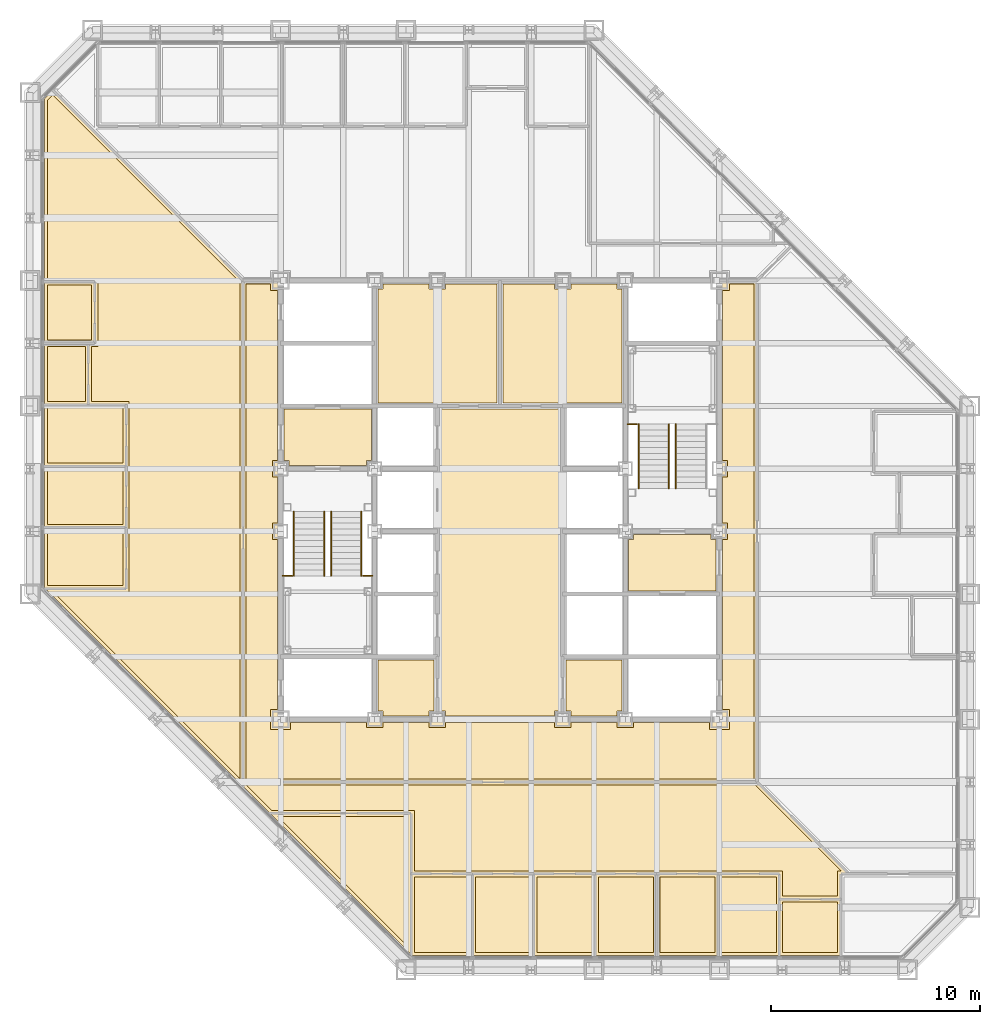
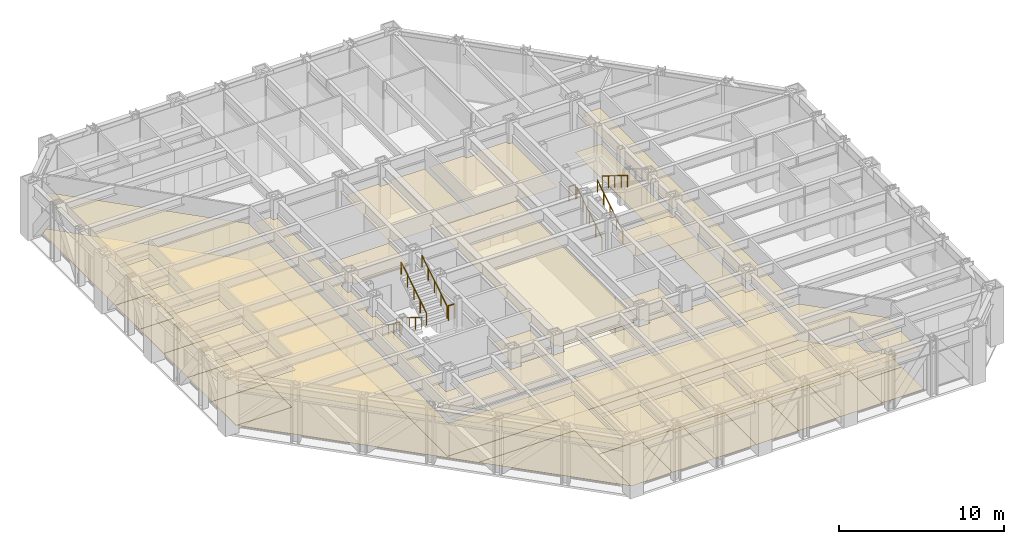
# One storey, part 15 of 17: 38 coverings, 10 railings.
"""IFC4 building model written with IfcOpenShell, lengths in metres."""

from ifc_helpers import new_model, si_unit, direction, frame, origin, origin_2d, place, context, subcontext, project, spatial, polyline, circle, outline, extrude, material, layer, layer_set, type_object, element, save


model = new_model("IFC4")

# Units and contexts
model_context = context("Model", 3, precision=1e-05, world=origin(), true_north=direction((0.0, 1.0)))
body_context = subcontext(model_context, "Body", "Model", "MODEL_VIEW")
ifc_project = project(units=[si_unit("LENGTHUNIT", "METRE"), si_unit("AREAUNIT", "SQUARE_METRE"), si_unit("VOLUMEUNIT", "CUBIC_METRE"), si_unit("PLANEANGLEUNIT", "RADIAN"), si_unit("MASSUNIT", "GRAM", prefix="KILO")], contexts=[model_context])

# Site, building, storey
site_placement = place(None, origin())
site = spatial("IfcSite", under=ifc_project, at=site_placement, CompositionType="ELEMENT")
building_placement = place(site_placement, origin())
building = spatial("IfcBuilding", under=site, at=building_placement, Name="Chuquiago Exchange Tower", CompositionType="ELEMENT")
storey_placement = place(building_placement, frame((0.0, 0.0, 136.199951171875)))
storey = spatial("IfcBuildingStorey", under=building, at=storey_placement, Name="L29", CompositionType="ELEMENT", Elevation=136.199951171875)

# Coverings
ifc_material_1 = material(Name="Mineral fibre tile, 600 x 600, on pale metal grid", Category="mineral fibre")
ifc_layer_1 = layer(ifc_material_1, 0.02001953125)
ifc_layer_set_1 = layer_set([ifc_layer_1], Name="CL1 suspended tile ceiling 20")
covering_type_1 = type_object("IfcCoveringType", Name="CL1 suspended tile ceiling 20", PredefinedType="CEILING", material=ifc_layer_set_1)
covering_1_placement = place(storey_placement, frame((0.0, 0.0, 2.800048828125)))
element("IfcCovering", 1, at=covering_1_placement, inside=storey, type_object=covering_type_1, Name="Ceiling Broker lounge", PredefinedType="CEILING", context=body_context, shape_type="SweptSolid", body=[
    extrude(outline(polyline([(18.098388671875, 7.35009765625), (18.098388671875, 1.103515625), (11.85205078125, 7.35009765625), (18.098388671875, 7.35009765625)])), origin(), (0.0, 0.0, 1.0), 0.02001953125),
])
covering_2_placement = place(storey_placement, frame((0.0, 0.0, 2.800048828125)))
element("IfcCovering", 2, at=covering_2_placement, inside=storey, type_object=covering_type_1, Name="Ceiling Office", PredefinedType="CEILING", context=body_context, shape_type="SweptSolid", body=[
    extrude(outline(polyline([(18.3984375, 4.449951171875), (21.036376953125, 4.449951171875), (21.036376953125, 0.85009765625), (18.3984375, 0.85009765625), (18.3984375, 4.449951171875)])), origin(), (0.0, 0.0, 1.0), 0.02001953125),
])
covering_3_placement = place(storey_placement, frame((0.0, 0.0, 2.800048828125)))
element("IfcCovering", 3, at=covering_3_placement, inside=storey, type_object=covering_type_1, Name="Ceiling Office", PredefinedType="CEILING", context=body_context, shape_type="SweptSolid", body=[
    extrude(outline(polyline([(21.33642578125, 4.449951171875), (23.974365234375, 4.449951171875), (23.974365234375, 0.85009765625), (21.33642578125, 0.85009765625), (21.33642578125, 4.449951171875)])), origin(), (0.0, 0.0, 1.0), 0.02001953125),
])
covering_4_placement = place(storey_placement, frame((0.0, 0.0, 2.800048828125)))
element("IfcCovering", 4, at=covering_4_placement, inside=storey, type_object=covering_type_1, Name="Ceiling Office", PredefinedType="CEILING", context=body_context, shape_type="SweptSolid", body=[
    extrude(outline(polyline([(24.2744140625, 4.449951171875), (26.912109375, 4.449951171875), (26.912109375, 0.85009765625), (24.2744140625, 0.85009765625), (24.2744140625, 4.449951171875)])), origin(), (0.0, 0.0, 1.0), 0.02001953125),
])
covering_5_placement = place(storey_placement, frame((0.0, 0.0, 2.800048828125)))
element("IfcCovering", 5, at=covering_5_placement, inside=storey, type_object=covering_type_1, Name="Ceiling Office", PredefinedType="CEILING", context=body_context, shape_type="SweptSolid", body=[
    extrude(outline(polyline([(27.212158203125, 4.449951171875), (29.85009765625, 4.449951171875), (29.85009765625, 0.85009765625), (27.212158203125, 0.85009765625), (27.212158203125, 4.449951171875)])), origin(), (0.0, 0.0, 1.0), 0.02001953125),
])
covering_6_placement = place(storey_placement, frame((0.0, 0.0, 2.800048828125)))
element("IfcCovering", 6, at=covering_6_placement, inside=storey, type_object=covering_type_1, Name="Ceiling Office", PredefinedType="CEILING", context=body_context, shape_type="SweptSolid", body=[
    extrude(outline(polyline([(30.14990234375, 4.449951171875), (32.787841796875, 4.449951171875), (32.787841796875, 0.85009765625), (30.14990234375, 0.85009765625), (30.14990234375, 4.449951171875)])), origin(), (0.0, 0.0, 1.0), 0.02001953125),
])
covering_7_placement = place(storey_placement, frame((0.0, 0.0, 2.800048828125)))
element("IfcCovering", 7, at=covering_7_placement, inside=storey, type_object=covering_type_1, Name="Ceiling Office", PredefinedType="CEILING", context=body_context, shape_type="SweptSolid", body=[
    extrude(outline(polyline([(33.087890625, 4.449951171875), (35.7255859375, 4.449951171875), (35.7255859375, 0.85009765625), (33.087890625, 0.85009765625), (33.087890625, 4.449951171875)])), origin(), (0.0, 0.0, 1.0), 0.02001953125),
])
covering_8_placement = place(storey_placement, frame((0.0, 0.0, 2.800048828125)))
element("IfcCovering", 8, at=covering_8_placement, inside=storey, type_object=covering_type_1, Name="Ceiling Pantry", PredefinedType="CEILING", context=body_context, shape_type="SweptSolid", body=[
    extrude(outline(polyline([(36.025634765625, 3.25), (38.66357421875, 3.25), (38.66357421875, 0.85009765625), (36.025634765625, 0.85009765625), (36.025634765625, 3.25)])), origin(), (0.0, 0.0, 1.0), 0.02001953125),
])
covering_9_placement = place(storey_placement, frame((0.0, 0.0, 2.800048828125)))
element("IfcCovering", 9, at=covering_9_placement, inside=storey, type_object=covering_type_1, Name="Ceiling Office", PredefinedType="CEILING", context=body_context, shape_type="SweptSolid", body=[
    extrude(outline(polyline([(0.85009765625, 21.036376953125), (4.449951171875, 21.036376953125), (4.449951171875, 18.3984375), (0.85009765625, 18.3984375), (0.85009765625, 21.036376953125)])), origin(), (0.0, 0.0, 1.0), 0.02001953125),
])
covering_10_placement = place(storey_placement, frame((0.0, 0.0, 2.800048828125)))
element("IfcCovering", 10, at=covering_10_placement, inside=storey, type_object=covering_type_1, Name="Ceiling Office", PredefinedType="CEILING", context=body_context, shape_type="SweptSolid", body=[
    extrude(outline(polyline([(4.449951171875, 23.974365234375), (4.449951171875, 21.33642578125), (0.85009765625, 21.33642578125), (0.85009765625, 23.974365234375), (4.449951171875, 23.974365234375)])), origin(), (0.0, 0.0, 1.0), 0.02001953125),
])
covering_11_placement = place(storey_placement, frame((0.0, 0.0, 2.800048828125)))
element("IfcCovering", 11, at=covering_11_placement, inside=storey, type_object=covering_type_1, Name="Ceiling Office", PredefinedType="CEILING", context=body_context, shape_type="SweptSolid", body=[
    extrude(outline(polyline([(4.449951171875, 26.912109375), (4.449951171875, 24.2744140625), (0.85009765625, 24.2744140625), (0.85009765625, 26.912109375), (4.449951171875, 26.912109375)])), origin(), (0.0, 0.0, 1.0), 0.02001953125),
])
covering_12_placement = place(storey_placement, frame((0.0, 0.0, 2.800048828125)))
element("IfcCovering", 12, at=covering_12_placement, inside=storey, type_object=covering_type_1, Name="Ceiling Focus room", PredefinedType="CEILING", context=body_context, shape_type="SweptSolid", body=[
    extrude(outline(polyline([(2.64990234375, 29.85009765625), (2.64990234375, 27.212158203125), (0.85009765625, 27.212158203125), (0.85009765625, 29.85009765625), (2.64990234375, 29.85009765625)])), origin(), (0.0, 0.0, 1.0), 0.02001953125),
])
covering_13_placement = place(storey_placement, frame((0.0, 0.0, 2.800048828125)))
element("IfcCovering", 13, at=covering_13_placement, inside=storey, type_object=covering_type_1, Name="Ceiling Store", PredefinedType="CEILING", context=body_context, shape_type="SweptSolid", body=[
    extrude(outline(polyline([(2.949951171875, 32.787841796875), (2.949951171875, 30.14990234375), (0.85009765625, 30.14990234375), (0.85009765625, 32.787841796875), (2.949951171875, 32.787841796875)])), origin(), (0.0, 0.0, 1.0), 0.02001953125),
])
covering_14_placement = place(storey_placement, frame((0.0, 0.0, 2.800048828125)))
element("IfcCovering", 14, at=covering_14_placement, inside=storey, type_object=covering_type_1, Name="Ceiling Circulation corridor", PredefinedType="CEILING", context=body_context, shape_type="SweptSolid", body=[
    extrude(outline(polyline([(16.10009765625, 11.85009765625), (16.10009765625, 11.60009765625), (16.89990234375, 11.60009765625), (16.89990234375, 11.85009765625), (19.10009765625, 11.85009765625), (19.10009765625, 11.60009765625), (19.89990234375, 11.60009765625), (19.89990234375, 11.85009765625), (25.10009765625, 11.85009765625), (25.10009765625, 11.60009765625), (25.89990234375, 11.60009765625), (25.89990234375, 11.85009765625), (28.10009765625, 11.85009765625), (28.10009765625, 11.60009765625), (28.89990234375, 11.60009765625), (28.89990234375, 11.85009765625), (32.52490234375, 11.85009765625), (32.52490234375, 11.52490234375), (33.47509765625, 11.52490234375), (33.47509765625, 12.47509765625), (33.14990234375, 12.47509765625), (33.14990234375, 20.60009765625), (33.39990234375, 20.60009765625), (33.39990234375, 21.39990234375), (33.14990234375, 21.39990234375), (33.14990234375, 23.60009765625), (33.39990234375, 23.60009765625), (33.39990234375, 24.39990234375), (33.14990234375, 24.39990234375), (33.14990234375, 32.52490234375), (33.47509765625, 32.52490234375), (33.47509765625, 32.85009765625), (34.64990234375, 32.85009765625), (34.64990234375, 9.14990234375), (10.35009765625, 9.14990234375), (10.35009765625, 32.85009765625), (11.52490234375, 32.85009765625), (11.52490234375, 32.52490234375), (11.85009765625, 32.52490234375), (11.85009765625, 24.39990234375), (11.60009765625, 24.39990234375), (11.60009765625, 23.60009765625), (11.85009765625, 23.60009765625), (11.85009765625, 21.39990234375), (11.60009765625, 21.39990234375), (11.60009765625, 20.60009765625), (11.85009765625, 20.60009765625), (11.85009765625, 12.47509765625), (11.52490234375, 12.47509765625), (11.52490234375, 11.52490234375), (12.47509765625, 11.52490234375), (12.47509765625, 11.85009765625), (16.10009765625, 11.85009765625)])), origin(), (0.0, 0.0, 1.0), 0.02001953125),
])
covering_15_placement = place(storey_placement, frame((0.0, 0.0, 2.800048828125)))
element("IfcCovering", 15, at=covering_15_placement, inside=storey, type_object=covering_type_1, Name="Ceiling Open office west", PredefinedType="CEILING", context=body_context, shape_type="SweptSolid", body=[
    extrude(outline(polyline([(1.103515625, 18.098388671875), (4.75, 18.098388671875), (4.75, 27.212158203125), (2.949951171875, 27.212158203125), (2.949951171875, 29.85009765625), (3.25, 29.85009765625), (3.25, 33.087890625), (0.85009765625, 33.087890625), (0.85009765625, 41.64794921875), (1.094482421875, 41.892578125), (10.050048828125, 32.9375), (10.050048828125, 9.152099609375), (1.103515625, 18.098388671875)])), origin(), (0.0, 0.0, 1.0), 0.02001953125),
])
covering_16_placement = place(storey_placement, frame((0.0, 0.0, 2.800048828125)))
element("IfcCovering", 16, at=covering_16_placement, inside=storey, type_object=covering_type_1, Name="Ceiling Open office west", PredefinedType="CEILING", context=body_context, shape_type="SweptSolid", body=[
    extrude(outline(polyline([(34.7373046875, 8.85009765625), (38.837158203125, 4.75), (38.66357421875, 4.75), (38.66357421875, 3.550048828125), (36.025634765625, 3.550048828125), (36.025634765625, 4.75), (18.3984375, 4.75), (18.3984375, 7.64990234375), (11.552001953125, 7.64990234375), (10.35205078125, 8.85009765625), (34.7373046875, 8.85009765625)])), origin(), (0.0, 0.0, 1.0), 0.02001953125),
])
ifc_material_2 = material(Name="Moisture resistant plasterboard on metal frame", Category="gypsum")
ifc_layer_2 = layer(ifc_material_2, 0.014892578125)
ifc_layer_set_2 = layer_set([ifc_layer_2], Name="CL2 moisture resistant ceiling 15")
covering_type_2 = type_object("IfcCoveringType", Name="CL2 moisture resistant ceiling 15", PredefinedType="CEILING", material=ifc_layer_set_2)
covering_17_placement = place(storey_placement, frame((0.0, 0.0, 2.60009765625)))
element("IfcCovering", 17, at=covering_17_placement, inside=storey, type_object=covering_type_2, Name="Ceiling Male WC", PredefinedType="CEILING", context=body_context, shape_type="SweptSolid", body=[
    extrude(outline(polyline([(16.64990234375, 27.14990234375), (16.64990234375, 32.60009765625), (16.89990234375, 32.60009765625), (16.89990234375, 32.85009765625), (19.10009765625, 32.85009765625), (19.10009765625, 32.60009765625), (19.89990234375, 32.60009765625), (19.89990234375, 32.85009765625), (22.35009765625, 32.85009765625), (22.35009765625, 27.14990234375), (16.64990234375, 27.14990234375)])), origin(), (0.0, 0.0, 1.0), 0.014892578125),
])
covering_18_placement = place(storey_placement, frame((0.0, 0.0, 2.60009765625)))
element("IfcCovering", 18, at=covering_18_placement, inside=storey, type_object=covering_type_2, Name="Ceiling Female WC", PredefinedType="CEILING", context=body_context, shape_type="SweptSolid", body=[
    extrude(outline(polyline([(22.64990234375, 27.14990234375), (22.64990234375, 32.85009765625), (25.10009765625, 32.85009765625), (25.10009765625, 32.60009765625), (25.89990234375, 32.60009765625), (25.89990234375, 32.85009765625), (28.10009765625, 32.85009765625), (28.10009765625, 32.60009765625), (28.35009765625, 32.60009765625), (28.35009765625, 27.14990234375), (22.64990234375, 27.14990234375)])), origin(), (0.0, 0.0, 1.0), 0.014892578125),
])
covering_19_placement = place(storey_placement, frame((0.0, 0.0, 2.60009765625)))
element("IfcCovering", 19, at=covering_19_placement, inside=storey, type_object=covering_type_2, Name="Ceiling Accessible WC", PredefinedType="CEILING", context=body_context, shape_type="SweptSolid", body=[
    extrude(outline(polyline([(25.89990234375, 12.14990234375), (25.89990234375, 12.39990234375), (25.64990234375, 12.39990234375), (25.64990234375, 14.85009765625), (28.35009765625, 14.85009765625), (28.35009765625, 12.39990234375), (28.10009765625, 12.39990234375), (28.10009765625, 12.14990234375), (25.89990234375, 12.14990234375)])), origin(), (0.0, 0.0, 1.0), 0.014892578125),
])
covering_20_placement = place(storey_placement, frame((0.0, 0.0, 2.60009765625)))
element("IfcCovering", 20, at=covering_20_placement, inside=storey, type_object=covering_type_2, Name="Ceiling Cleaner", PredefinedType="CEILING", context=body_context, shape_type="SweptSolid", body=[
    extrude(outline(polyline([(16.89990234375, 12.14990234375), (16.89990234375, 12.39990234375), (16.64990234375, 12.39990234375), (16.64990234375, 14.85009765625), (19.35009765625, 14.85009765625), (19.35009765625, 12.39990234375), (19.10009765625, 12.39990234375), (19.10009765625, 12.14990234375), (16.89990234375, 12.14990234375)])), origin(), (0.0, 0.0, 1.0), 0.014892578125),
])
ifc_material_3 = material(Name="Pale metal plank ceiling, perforated", Category="aluminium")
ifc_layer_3 = layer(ifc_material_3, 0.030029296875)
ifc_layer_set_3 = layer_set([ifc_layer_3], Name="CL3 metal plank ceiling 30")
covering_type_3 = type_object("IfcCoveringType", Name="CL3 metal plank ceiling 30", PredefinedType="CEILING", material=ifc_layer_set_3)
covering_21_placement = place(storey_placement, frame((0.0, 0.0, 2.800048828125)))
element("IfcCovering", 21, at=covering_21_placement, inside=storey, type_object=covering_type_3, Name="Ceiling Lift lobby", PredefinedType="CEILING", context=body_context, shape_type="SweptSolid", body=[
    extrude(outline(polyline([(19.89990234375, 12.14990234375), (19.89990234375, 12.39990234375), (19.64990234375, 12.39990234375), (19.64990234375, 26.85009765625), (25.35009765625, 26.85009765625), (25.35009765625, 12.39990234375), (25.10009765625, 12.39990234375), (25.10009765625, 12.14990234375), (19.89990234375, 12.14990234375)])), origin(), (0.0, 0.0, 1.0), 0.030029296875),
])
covering_22_placement = place(storey_placement, frame((0.0, 0.0, 2.800048828125)))
element("IfcCovering", 22, at=covering_22_placement, inside=storey, type_object=covering_type_3, Name="Ceiling Firefighting lobby", PredefinedType="CEILING", context=body_context, shape_type="SweptSolid", body=[
    extrude(outline(polyline([(12.39990234375, 24.14990234375), (12.39990234375, 24.39990234375), (12.14990234375, 24.39990234375), (12.14990234375, 26.85009765625), (16.35009765625, 26.85009765625), (16.35009765625, 24.39990234375), (16.10009765625, 24.39990234375), (16.10009765625, 24.14990234375), (12.39990234375, 24.14990234375)])), origin(), (0.0, 0.0, 1.0), 0.030029296875),
])
covering_23_placement = place(storey_placement, frame((0.0, 0.0, 2.800048828125)))
element("IfcCovering", 23, at=covering_23_placement, inside=storey, type_object=covering_type_3, Name="Ceiling Firefighting lobby", PredefinedType="CEILING", context=body_context, shape_type="SweptSolid", body=[
    extrude(outline(polyline([(28.64990234375, 18.14990234375), (28.64990234375, 20.60009765625), (28.89990234375, 20.60009765625), (28.89990234375, 20.85009765625), (32.60009765625, 20.85009765625), (32.60009765625, 20.60009765625), (32.85009765625, 20.60009765625), (32.85009765625, 18.14990234375), (28.64990234375, 18.14990234375)])), origin(), (0.0, 0.0, 1.0), 0.030029296875),
])
ifc_material_4 = material(Name="Carpet tile, 500 x 500, on the floor slab", Category="textile")
ifc_layer_4 = layer(ifc_material_4, 0.010009765625)
ifc_layer_set_4 = layer_set([ifc_layer_4], Name="FL1 carpet tile 10")
covering_type_4 = type_object("IfcCoveringType", Name="FL1 carpet tile 10", PredefinedType="FLOORING", material=ifc_layer_set_4)
covering_24_placement = place(storey_placement, origin())
element("IfcCovering", 24, at=covering_24_placement, inside=storey, type_object=covering_type_4, Name="Floor finish Office", PredefinedType="FLOORING", context=body_context, shape_type="SweptSolid", body=[
    extrude(outline(polyline([(18.289794921875, 0.699951171875), (18.24853515625, 0.741455078125), (18.24853515625, 4.60009765625), (21.186279296875, 4.60009765625), (21.186279296875, 0.699951171875), (18.289794921875, 0.699951171875)])), origin(), (0.0, 0.0, 1.0), 0.010009765625),
])
covering_25_placement = place(storey_placement, origin())
element("IfcCovering", 25, at=covering_25_placement, inside=storey, type_object=covering_type_4, Name="Floor finish Office", PredefinedType="FLOORING", context=body_context, shape_type="SweptSolid", body=[
    extrude(outline(polyline([(21.186279296875, 0.699951171875), (21.186279296875, 4.60009765625), (24.124267578125, 4.60009765625), (24.124267578125, 0.699951171875), (21.186279296875, 0.699951171875)])), origin(), (0.0, 0.0, 1.0), 0.010009765625),
])
covering_26_placement = place(storey_placement, origin())
element("IfcCovering", 26, at=covering_26_placement, inside=storey, type_object=covering_type_4, Name="Floor finish Office", PredefinedType="FLOORING", context=body_context, shape_type="SweptSolid", body=[
    extrude(outline(polyline([(24.124267578125, 0.699951171875), (24.124267578125, 4.60009765625), (27.06201171875, 4.60009765625), (27.06201171875, 0.699951171875), (24.124267578125, 0.699951171875)])), origin(), (0.0, 0.0, 1.0), 0.010009765625),
])
covering_27_placement = place(storey_placement, origin())
element("IfcCovering", 27, at=covering_27_placement, inside=storey, type_object=covering_type_4, Name="Floor finish Office", PredefinedType="FLOORING", context=body_context, shape_type="SweptSolid", body=[
    extrude(outline(polyline([(27.06201171875, 0.699951171875), (27.06201171875, 4.60009765625), (30.0, 4.60009765625), (30.0, 0.699951171875), (27.06201171875, 0.699951171875)])), origin(), (0.0, 0.0, 1.0), 0.010009765625),
])
covering_28_placement = place(storey_placement, origin())
element("IfcCovering", 28, at=covering_28_placement, inside=storey, type_object=covering_type_4, Name="Floor finish Office", PredefinedType="FLOORING", context=body_context, shape_type="SweptSolid", body=[
    extrude(outline(polyline([(30.0, 0.699951171875), (30.0, 4.60009765625), (32.93798828125, 4.60009765625), (32.93798828125, 0.699951171875), (30.0, 0.699951171875)])), origin(), (0.0, 0.0, 1.0), 0.010009765625),
])
covering_29_placement = place(storey_placement, origin())
element("IfcCovering", 29, at=covering_29_placement, inside=storey, type_object=covering_type_4, Name="Floor finish Office", PredefinedType="FLOORING", context=body_context, shape_type="SweptSolid", body=[
    extrude(outline(polyline([(32.93798828125, 0.699951171875), (32.93798828125, 4.60009765625), (35.875732421875, 4.60009765625), (35.875732421875, 0.699951171875), (32.93798828125, 0.699951171875)])), origin(), (0.0, 0.0, 1.0), 0.010009765625),
])
covering_30_placement = place(storey_placement, origin())
element("IfcCovering", 30, at=covering_30_placement, inside=storey, type_object=covering_type_4, Name="Floor finish Office", PredefinedType="FLOORING", context=body_context, shape_type="SweptSolid", body=[
    extrude(outline(polyline([(0.699951171875, 21.186279296875), (4.60009765625, 21.186279296875), (4.60009765625, 18.24853515625), (0.741455078125, 18.24853515625), (0.699951171875, 18.289794921875), (0.699951171875, 21.186279296875)])), origin(), (0.0, 0.0, 1.0), 0.010009765625),
])
covering_31_placement = place(storey_placement, origin())
element("IfcCovering", 31, at=covering_31_placement, inside=storey, type_object=covering_type_4, Name="Floor finish Office", PredefinedType="FLOORING", context=body_context, shape_type="SweptSolid", body=[
    extrude(outline(polyline([(0.699951171875, 24.124267578125), (4.60009765625, 24.124267578125), (4.60009765625, 21.186279296875), (0.699951171875, 21.186279296875), (0.699951171875, 24.124267578125)])), origin(), (0.0, 0.0, 1.0), 0.010009765625),
])
covering_32_placement = place(storey_placement, origin())
element("IfcCovering", 32, at=covering_32_placement, inside=storey, type_object=covering_type_4, Name="Floor finish Office", PredefinedType="FLOORING", context=body_context, shape_type="SweptSolid", body=[
    extrude(outline(polyline([(0.699951171875, 27.06201171875), (4.60009765625, 27.06201171875), (4.60009765625, 24.124267578125), (0.699951171875, 24.124267578125), (0.699951171875, 27.06201171875)])), origin(), (0.0, 0.0, 1.0), 0.010009765625),
])
covering_33_placement = place(storey_placement, origin())
element("IfcCovering", 33, at=covering_33_placement, inside=storey, type_object=covering_type_4, Name="Floor finish Focus room", PredefinedType="FLOORING", context=body_context, shape_type="SweptSolid", body=[
    extrude(outline(polyline([(0.699951171875, 30.0), (2.800048828125, 30.0), (2.800048828125, 27.06201171875), (0.699951171875, 27.06201171875), (0.699951171875, 30.0)])), origin(), (0.0, 0.0, 1.0), 0.010009765625),
])
covering_34_placement = place(storey_placement, origin())
element("IfcCovering", 34, at=covering_34_placement, inside=storey, type_object=covering_type_4, Name="Floor finish Open office west", PredefinedType="FLOORING", context=body_context, shape_type="SweptSolid", body=[
    extrude(outline(polyline([(38.813720703125, 4.60009765625), (38.813720703125, 3.39990234375), (35.875732421875, 3.39990234375), (35.875732421875, 4.60009765625), (18.24853515625, 4.60009765625), (18.24853515625, 7.5), (11.489990234375, 7.5), (18.24853515625, 0.741455078125), (0.741455078125, 18.24853515625), (4.60009765625, 18.24853515625), (4.60009765625, 27.06201171875), (2.800048828125, 27.06201171875), (2.800048828125, 30.0), (3.10009765625, 30.0), (3.10009765625, 32.93798828125), (0.699951171875, 32.93798828125), (0.699951171875, 41.710205078125), (1.094482421875, 42.104736328125), (10.199951171875, 32.99951171875), (10.199951171875, 9.0), (34.799560546875, 9.0), (39.19921875, 4.60009765625), (38.813720703125, 4.60009765625)])), origin(), (0.0, 0.0, 1.0), 0.010009765625),
])
ifc_material_5 = material(Name="Porcelain floor tile, 600 x 600, on adhesive bed", Category="ceramic")
ifc_layer_5 = layer(ifc_material_5, 0.014892578125)
ifc_layer_set_5 = layer_set([ifc_layer_5], Name="FL2 porcelain tile 15")
covering_type_5 = type_object("IfcCoveringType", Name="FL2 porcelain tile 15", PredefinedType="FLOORING", material=ifc_layer_set_5)
covering_35_placement = place(storey_placement, origin())
element("IfcCovering", 35, at=covering_35_placement, inside=storey, type_object=covering_type_5, Name="Floor finish Broker lounge", PredefinedType="FLOORING", context=body_context, shape_type="SweptSolid", body=[
    extrude(outline(polyline([(11.489990234375, 7.5), (18.24853515625, 7.5), (18.24853515625, 0.741455078125), (11.489990234375, 7.5)])), origin(), (0.0, 0.0, 1.0), 0.01513671875),
])
covering_36_placement = place(storey_placement, origin())
element("IfcCovering", 36, at=covering_36_placement, inside=storey, type_object=covering_type_5, Name="Floor finish Pantry", PredefinedType="FLOORING", context=body_context, shape_type="SweptSolid", body=[
    extrude(outline(polyline([(35.875732421875, 0.699951171875), (35.875732421875, 3.39990234375), (38.813720703125, 3.39990234375), (38.813720703125, 0.699951171875), (35.875732421875, 0.699951171875)])), origin(), (0.0, 0.0, 1.0), 0.01513671875),
])
covering_37_placement = place(storey_placement, origin())
element("IfcCovering", 37, at=covering_37_placement, inside=storey, type_object=covering_type_5, Name="Floor finish Store", PredefinedType="FLOORING", context=body_context, shape_type="SweptSolid", body=[
    extrude(outline(polyline([(0.699951171875, 32.93798828125), (3.10009765625, 32.93798828125), (3.10009765625, 30.0), (0.699951171875, 30.0), (0.699951171875, 32.93798828125)])), origin(), (0.0, 0.0, 1.0), 0.01513671875),
])
covering_38_placement = place(storey_placement, origin())
element("IfcCovering", 38, at=covering_38_placement, inside=storey, type_object=covering_type_5, Name="Floor finish Circulation corridor", PredefinedType="FLOORING", context=body_context, shape_type="SweptSolid", body=[
    extrude(outline(polyline([(12.0, 12.0), (33.0, 12.0), (33.0, 33.0), (34.800048828125, 33.0), (34.800048828125, 9.0), (10.199951171875, 9.0), (10.199951171875, 33.0), (12.0, 33.0), (12.0, 12.0)])), origin(), (0.0, 0.0, 1.0), 0.01513671875),
])

# Railings
ifc_material_6 = material(Name="Pale metal guard with safety glass infill", Category="glass")
railing_type_1 = type_object("IfcRailingType", Name="GR1 guard 1100", PredefinedType="GUARDRAIL", material=ifc_material_6)
for number, where, name in (
    (39, (12.10009765625, 18.8701171875, 2.10009765625), "Guard ST1 L29 landing 2"),
    (40, (15.945068359375, 18.8701171875, 2.10009765625), "Guard ST1 L29 landing 2"),
    (41, (28.60009765625, 26.1298828125, 2.10009765625), "Guard ST2 L29 landing 2"),
):
    element("IfcRailing", number, at=place(storey_placement, frame(where)), inside=storey, type_object=railing_type_1, Name=name, PredefinedType="GUARDRAIL", context=body_context, shape_type="SweptSolid", body=[
        extrude(circle(Radius=0.02392578125, at=origin_2d()), frame((0.0, 0.0, 1.076171875), z_axis=(1.0, 0.0, 0.0), x_axis=(0.0, 1.0, 0.0)), (0.0, 0.0, 1.0), 0.454833984375),
        extrude(circle(Radius=0.02099609375, at=origin_2d()), origin(), (0.0, 0.0, 1.0), 1.052001953125),
        extrude(circle(Radius=0.02099609375, at=origin_2d()), frame((0.454833984375, 0.0, 0.0)), (0.0, 0.0, 1.0), 1.052001953125),
    ])
ifc_material_7 = material(Name="Pale metal handrail", Category="steel")
railing_type_2 = type_object("IfcRailingType", Name="HR1 handrail 900", PredefinedType="HANDRAIL", material=ifc_material_7)
for number, where, name in (
    (42, (12.635009765625, 21.949951171875, 0.175048828125), "Handrail ST1 L29 flight 1"),
    (43, (14.0849609375, 21.949951171875, 0.175048828125), "Handrail ST1 L29 flight 1"),
):
    element("IfcRailing", number, at=place(storey_placement, frame(where)), inside=storey, type_object=railing_type_2, Name=name, PredefinedType="HANDRAIL", context=body_context, shape_type="SweptSolid", body=[
        extrude(circle(Radius=0.02392578125, at=origin_2d()), frame((0.0, 0.0, 0.8759765625), z_axis=(0.0, -0.847979421464, 0.530029150871), x_axis=(1.0, 0.0, 0.0)), (0.0, 0.0, 1.0), 3.632080078125),
        extrude(circle(Radius=0.02099609375, at=origin_2d()), origin(), (0.0, 0.0, 1.0), 0.851806640625),
        extrude(circle(Radius=0.02099609375, at=origin_2d()), frame((0.0, -0.77001953125, 0.481201171875)), (0.0, 0.0, 1.0), 0.851806640625),
        extrude(circle(Radius=0.02099609375, at=origin_2d()), frame((0.0, -1.5400390625, 0.96240234375)), (0.0, 0.0, 1.0), 0.851806640625),
        extrude(circle(Radius=0.02099609375, at=origin_2d()), frame((0.0, -2.309814453125, 1.44384765625)), (0.0, 0.0, 1.0), 0.851806640625),
        extrude(circle(Radius=0.02099609375, at=origin_2d()), frame((0.0, -3.079833984375, 1.925048828125)), (0.0, 0.0, 1.0), 0.851806640625),
    ])
for number, where, name in (
    (44, (15.864990234375, 18.8701171875, 2.275146484375), "Handrail ST1 L29 flight 2"),
    (45, (14.4150390625, 18.8701171875, 2.275146484375), "Handrail ST1 L29 flight 2"),
):
    element("IfcRailing", number, at=place(storey_placement, frame(where)), inside=storey, type_object=railing_type_2, Name=name, PredefinedType="HANDRAIL", context=body_context, shape_type="SweptSolid", body=[
        extrude(circle(Radius=0.02392578125, at=origin_2d()), frame((0.0, 0.0, 0.8759765625), z_axis=(0.0, 0.848009633417, 0.529980812513), x_axis=(-1.0, 0.0, 0.0)), (0.0, 0.0, 1.0), 3.6318359375),
        extrude(circle(Radius=0.02099609375, at=origin_2d()), origin(), (0.0, 0.0, 1.0), 0.851806640625),
        extrude(circle(Radius=0.02099609375, at=origin_2d()), frame((0.0, 0.77001953125, 0.481201171875)), (0.0, 0.0, 1.0), 0.851806640625),
        extrude(circle(Radius=0.02099609375, at=origin_2d()), frame((0.0, 1.5400390625, 0.96240234375)), (0.0, 0.0, 1.0), 0.851806640625),
        extrude(circle(Radius=0.02099609375, at=origin_2d()), frame((0.0, 2.309814453125, 1.443603515625)), (0.0, 0.0, 1.0), 0.851806640625),
        extrude(circle(Radius=0.02099609375, at=origin_2d()), frame((0.0, 3.079833984375, 1.9248046875)), (0.0, 0.0, 1.0), 0.851806640625),
    ])
for number, where, name in (
    (46, (30.5849609375, 23.050048828125, 0.175048828125), "Handrail ST2 L29 flight 1"),
    (47, (29.135009765625, 23.050048828125, 0.175048828125), "Handrail ST2 L29 flight 1"),
):
    element("IfcRailing", number, at=place(storey_placement, frame(where)), inside=storey, type_object=railing_type_2, Name=name, PredefinedType="HANDRAIL", context=body_context, shape_type="SweptSolid", body=[
        extrude(circle(Radius=0.02392578125, at=origin_2d()), frame((0.0, 0.0, 0.8759765625), z_axis=(0.0, 0.847979421464, 0.530029150871), x_axis=(-1.0, 0.0, 0.0)), (0.0, 0.0, 1.0), 3.632080078125),
        extrude(circle(Radius=0.02099609375, at=origin_2d()), origin(), (0.0, 0.0, 1.0), 0.851806640625),
        extrude(circle(Radius=0.02099609375, at=origin_2d()), frame((0.0, 0.77001953125, 0.481201171875)), (0.0, 0.0, 1.0), 0.851806640625),
        extrude(circle(Radius=0.02099609375, at=origin_2d()), frame((0.0, 1.5400390625, 0.96240234375)), (0.0, 0.0, 1.0), 0.851806640625),
        extrude(circle(Radius=0.02099609375, at=origin_2d()), frame((0.0, 2.309814453125, 1.44384765625)), (0.0, 0.0, 1.0), 0.851806640625),
        extrude(circle(Radius=0.02099609375, at=origin_2d()), frame((0.0, 3.079833984375, 1.925048828125)), (0.0, 0.0, 1.0), 0.851806640625),
    ])
railing_placement = place(storey_placement, frame((30.9150390625, 26.1298828125, 2.275146484375)))
element("IfcRailing", 48, at=railing_placement, inside=storey, type_object=railing_type_2, Name="Handrail ST2 L29 flight 2", PredefinedType="HANDRAIL", context=body_context, shape_type="SweptSolid", body=[
    extrude(circle(Radius=0.02392578125, at=origin_2d()), frame((0.0, 0.0, 0.8759765625), z_axis=(0.0, -0.848009633417, 0.529980812513), x_axis=(1.0, 0.0, 0.0)), (0.0, 0.0, 1.0), 3.6318359375),
    extrude(circle(Radius=0.02099609375, at=origin_2d()), origin(), (0.0, 0.0, 1.0), 0.851806640625),
    extrude(circle(Radius=0.02099609375, at=origin_2d()), frame((0.0, -0.77001953125, 0.481201171875)), (0.0, 0.0, 1.0), 0.851806640625),
    extrude(circle(Radius=0.02099609375, at=origin_2d()), frame((0.0, -1.5400390625, 0.96240234375)), (0.0, 0.0, 1.0), 0.851806640625),
    extrude(circle(Radius=0.02099609375, at=origin_2d()), frame((0.0, -2.309814453125, 1.443603515625)), (0.0, 0.0, 1.0), 0.851806640625),
    extrude(circle(Radius=0.02099609375, at=origin_2d()), frame((0.0, -3.079833984375, 1.9248046875)), (0.0, 0.0, 1.0), 0.851806640625),
])

save(model, "model.ifc")
